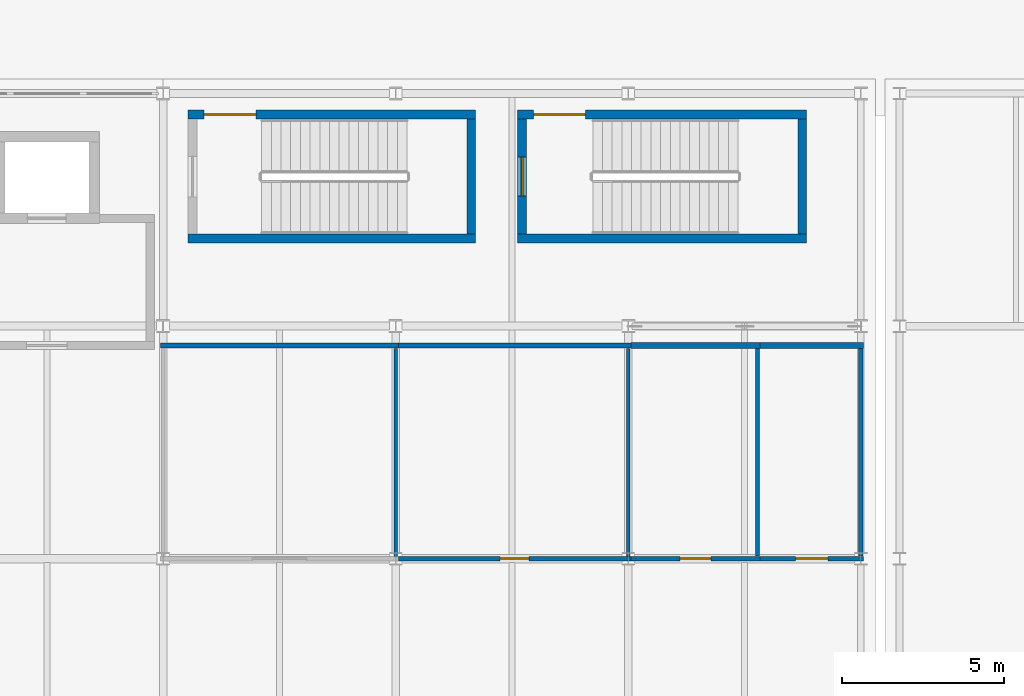
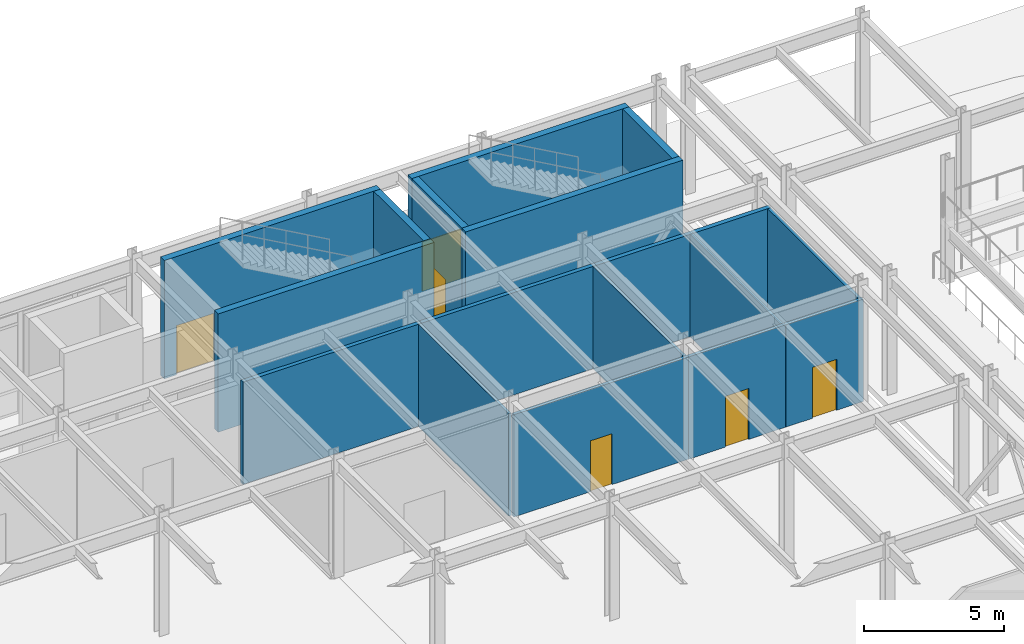
# One storey, part 75 of 104: 18 walls, 6 doors, 6 openings.
"""IFC4 building model written with IfcOpenShell, lengths in metres."""

from ifc_helpers import new_model, si_unit, direction, frame, frame_2d, origin, place, context, subcontext, project, spatial, rectangle, extrude, material, layer, layer_set, type_object, element, fill, save


model = new_model("IFC4")

# Units and contexts
model_context = context("Model", 3, precision=1e-05, world=origin(), true_north=direction((0.0, 1.0)))
body_context = subcontext(model_context, "Body", "Model", "MODEL_VIEW")
ifc_project = project(units=[si_unit("LENGTHUNIT", "METRE"), si_unit("AREAUNIT", "SQUARE_METRE"), si_unit("VOLUMEUNIT", "CUBIC_METRE"), si_unit("PLANEANGLEUNIT", "RADIAN"), si_unit("MASSUNIT", "GRAM", prefix="KILO")], contexts=[model_context])

# Site, building, storey
site_placement = place(None, origin())
site = spatial("IfcSite", under=ifc_project, at=site_placement, CompositionType="ELEMENT")
building_placement = place(site_placement, origin())
building = spatial("IfcBuilding", under=site, at=building_placement, Name="Vaelcorin Mobility Hub", CompositionType="ELEMENT")
storey_placement = place(building_placement, origin())
storey = spatial("IfcBuildingStorey", under=building, at=storey_placement, Name="L00", CompositionType="ELEMENT", Elevation=0.0)

# Wall
ifc_material_1 = material(Name="Reinforced concrete f'c 45 MPa", Category="concrete")
ifc_layer_1 = layer(ifc_material_1, 0.27490234375)
ifc_layer_set_1 = layer_set([ifc_layer_1], Name="Reinforced concrete f'c 45 MPa")
wall_type_1 = type_object("IfcWallType", Name="WL-CORE-275", PredefinedType="SOLIDWALL", material=ifc_layer_set_1)
wall_1_placement = place(storey_placement, frame((110.47509765625, 115.511962890625, 0.0), z_axis=(0.0, 0.0, 1.0), x_axis=(-1.0, 0.0, 0.0)))
element("IfcWall", 1, at=wall_1_placement, inside=storey, type_object=wall_type_1, Name="ST4 Fire Core Wall L00 South", PredefinedType="SOLIDWALL", context=body_context, shape_type="SweptSolid", body=[
    extrude(rectangle(XDim=8.900146484375, YDim=0.27490234375, at=frame_2d((4.4501953125, 0.0))), origin(), (0.0, 0.0, 1.0), 5.159912109375),
])

# Wall, opening, door
wall_2_placement = place(storey_placement, frame((101.574951171875, 119.347900390625, 0.0), z_axis=(0.0, 0.0, 1.0), x_axis=(1.0, 0.0, 0.0)))
wall_2 = element("IfcWall", 2, at=wall_2_placement, inside=storey, type_object=wall_type_1, Name="ST4 Fire Core Wall L00 North", PredefinedType="SOLIDWALL", context=body_context, shape_type="SweptSolid", body=[
    extrude(rectangle(XDim=8.900146484375, YDim=0.27490234375, at=frame_2d((4.4501953125, 0.0))), origin(), (0.0, 0.0, 1.0), 5.159912109375),
])
opening_1_placement = place(wall_2_placement, frame((0.4951171875, 0.0, 0.0)))
opening_1 = element("IfcOpeningElement", 3, at=opening_1_placement, cuts=wall_2, Name="Opening SD03", PredefinedType="OPENING", context=body_context, shape_type="SweptSolid", body=[
    extrude(rectangle(XDim=1.60009765625, YDim=2.14990234375, at=frame_2d((0.800048828125, 1.074951171875))), frame((0.0, 0.1474609375, 0.0), z_axis=(0.0, -1.0, 0.0), x_axis=(1.0, 0.0, 0.0)), (0.0, 0.0, 1.0), 0.294921875),
])
ifc_material_2 = material(Name="Hollow-metal insulated steel fire door", Category="steel")
door_type_1 = type_object("IfcDoorType", Name="DR-STAIR-EXIT", OperationType="NOTDEFINED", PredefinedType="DOOR", material=ifc_material_2)
door_1_placement = place(opening_1_placement, origin())
door_1 = element("IfcDoor", 4, at=door_1_placement, inside=storey, type_object=door_type_1, Name="ST4 Final Exit Discharge Door L00", OperationType="SINGLE_SWING_RIGHT", OverallHeight=2.14990234375, OverallWidth=1.60009765625, PredefinedType="DOOR", context=body_context, shape_type="SweptSolid", body=[
    extrude(rectangle(XDim=1.60009765625, YDim=2.14990234375, at=frame_2d((0.800048828125, 1.074951171875))), frame((0.0, 0.02490234375, 0.0), z_axis=(0.0, -1.0, 0.0), x_axis=(1.0, 0.0, 0.0)), (0.0, 0.0, 1.0), 0.050048828125),
])
fill(opening_1, door_1)

# Walls
wall_3_placement = place(storey_placement, frame((110.337890625, 119.2099609375, 0.0), z_axis=(0.0, 0.0, 1.0), x_axis=(0.0, -1.0, 0.0)))
element("IfcWall", 5, at=wall_3_placement, inside=storey, type_object=wall_type_1, Name="ST4 Fire Core Wall L00 East", PredefinedType="SOLIDWALL", context=body_context, shape_type="SweptSolid", body=[
    extrude(rectangle(XDim=3.56005859375, YDim=0.27490234375, at=frame_2d((1.780029296875, 0.0))), origin(), (0.0, 0.0, 1.0), 5.159912109375),
])
wall_4_placement = place(storey_placement, frame((120.72509765625, 115.511962890625, 0.0), z_axis=(0.0, 0.0, 1.0), x_axis=(-1.0, 0.0, 0.0)))
element("IfcWall", 6, at=wall_4_placement, inside=storey, type_object=wall_type_1, Name="ST9 Fire Core Wall L00 South", PredefinedType="SOLIDWALL", context=body_context, shape_type="SweptSolid", body=[
    extrude(rectangle(XDim=8.9501953125, YDim=0.27490234375, at=frame_2d((4.47509765625, 0.0))), origin(), (0.0, 0.0, 1.0), 5.159912109375),
])

# Wall, opening, door
wall_5_placement = place(storey_placement, frame((111.77490234375, 119.347900390625, 0.0), z_axis=(0.0, 0.0, 1.0), x_axis=(1.0, 0.0, 0.0)))
wall_5 = element("IfcWall", 7, at=wall_5_placement, inside=storey, type_object=wall_type_1, Name="ST9 Fire Core Wall L00 North", PredefinedType="SOLIDWALL", context=body_context, shape_type="SweptSolid", body=[
    extrude(rectangle(XDim=8.9501953125, YDim=0.27490234375, at=frame_2d((4.47509765625, 0.0))), origin(), (0.0, 0.0, 1.0), 5.159912109375),
])
opening_2_placement = place(wall_5_placement, frame((0.4951171875, 0.0, 0.0)))
opening_2 = element("IfcOpeningElement", 8, at=opening_2_placement, cuts=wall_5, Name="Opening SD03", PredefinedType="OPENING", context=body_context, shape_type="SweptSolid", body=[
    extrude(rectangle(XDim=1.60009765625, YDim=2.14990234375, at=frame_2d((0.800048828125, 1.074951171875))), frame((0.0, 0.1474609375, 0.0), z_axis=(0.0, -1.0, 0.0), x_axis=(1.0, 0.0, 0.0)), (0.0, 0.0, 1.0), 0.294921875),
])
door_2_placement = place(opening_2_placement, origin())
door_2 = element("IfcDoor", 9, at=door_2_placement, inside=storey, type_object=door_type_1, Name="ST9 Final Exit Discharge Door L00", OperationType="SINGLE_SWING_RIGHT", OverallHeight=2.14990234375, OverallWidth=1.60009765625, PredefinedType="DOOR", context=body_context, shape_type="SweptSolid", body=[
    extrude(rectangle(XDim=1.60009765625, YDim=2.14990234375, at=frame_2d((0.800048828125, 1.074951171875))), frame((0.0, 0.02490234375, 0.0), z_axis=(0.0, -1.0, 0.0), x_axis=(1.0, 0.0, 0.0)), (0.0, 0.0, 1.0), 0.050048828125),
])
fill(opening_2, door_2)

wall_6_placement = place(storey_placement, frame((111.912109375, 115.64990234375, 0.0), z_axis=(0.0, 0.0, 1.0), x_axis=(0.0, 1.0, 0.0)))
wall_6 = element("IfcWall", 10, at=wall_6_placement, inside=storey, type_object=wall_type_1, Name="ST9 Fire Core Wall L00 West", PredefinedType="SOLIDWALL", context=body_context, shape_type="SweptSolid", body=[
    extrude(rectangle(XDim=3.56005859375, YDim=0.27490234375, at=frame_2d((1.780029296875, 0.0))), origin(), (0.0, 0.0, 1.0), 5.159912109375),
])
opening_3_placement = place(wall_6_placement, frame((1.179931640625, 0.0, 0.0)))
opening_3 = element("IfcOpeningElement", 11, at=opening_3_placement, cuts=wall_6, Name="Opening SD01", PredefinedType="OPENING", context=body_context, shape_type="SweptSolid", body=[
    extrude(rectangle(XDim=1.199951171875, YDim=2.199951171875, at=frame_2d((0.60009765625, 1.10009765625))), frame((0.0, 0.1474609375, 0.0), z_axis=(0.0, -1.0, 0.0), x_axis=(1.0, 0.0, 0.0)), (0.0, 0.0, 1.0), 0.294921875),
])
door_type_2 = type_object("IfcDoorType", Name="DR-STAIR-90", OperationType="NOTDEFINED", PredefinedType="DOOR", material=ifc_material_2)
door_3_placement = place(opening_3_placement, origin())
door_3 = element("IfcDoor", 12, at=door_3_placement, inside=storey, type_object=door_type_2, Name="ST9 Protected Stair Door L00", OperationType="SINGLE_SWING_LEFT", OverallHeight=2.199951171875, OverallWidth=1.199951171875, PredefinedType="DOOR", context=body_context, shape_type="SweptSolid", body=[
    extrude(rectangle(XDim=1.199951171875, YDim=2.199951171875, at=frame_2d((0.60009765625, 1.10009765625))), frame((0.0, 0.02490234375, 0.0), z_axis=(0.0, -1.0, 0.0), x_axis=(1.0, 0.0, 0.0)), (0.0, 0.0, 1.0), 0.050048828125),
])
fill(opening_3, door_3)

# Walls
wall_7_placement = place(storey_placement, frame((120.587890625, 119.2099609375, 0.0), z_axis=(0.0, 0.0, 1.0), x_axis=(0.0, -1.0, 0.0)))
element("IfcWall", 13, at=wall_7_placement, inside=storey, type_object=wall_type_1, Name="ST9 Fire Core Wall L00 East", PredefinedType="SOLIDWALL", context=body_context, shape_type="SweptSolid", body=[
    extrude(rectangle(XDim=3.56005859375, YDim=0.27490234375, at=frame_2d((1.780029296875, 0.0))), origin(), (0.0, 0.0, 1.0), 5.159912109375),
])
ifc_material_3 = material(Name="Fire-rated acoustic steel-stud gypsum board", Category="steel")
ifc_layer_2 = layer(ifc_material_3, 0.114990234375)
ifc_layer_set_2 = layer_set([ifc_layer_2], Name="Fire-rated acoustic steel-stud gypsum board")
wall_type_2 = type_object("IfcWallType", Name="WL-PART-115", PredefinedType="PARTITIONING", material=ifc_layer_set_2)
wall_8_placement = place(storey_placement, frame((108.0, 112.113037109375, 0.0), z_axis=(0.0, 0.0, 1.0), x_axis=(0.0, -1.0, 0.0)))
element("IfcWall", 14, at=wall_8_placement, inside=storey, type_object=wall_type_2, Name="Public Restrooms L00 Partition East", PredefinedType="PARTITIONING", context=body_context, shape_type="SweptSolid", body=[
    extrude(rectangle(XDim=6.44091796875, YDim=0.114990234375, at=frame_2d((3.220458984375, 0.0))), origin(), (0.0, 0.0, 1.0), 4.45703125),
])
ifc_layer_3 = layer(ifc_material_3, 0.1201171875)
ifc_layer_set_3 = layer_set([ifc_layer_3], Name="Fire-rated acoustic steel-stud gypsum board")
wall_type_3 = type_object("IfcWallType", Name="WL-PART-120", PredefinedType="PARTITIONING", material=ifc_layer_set_3)
wall_9_placement = place(storey_placement, frame((115.199951171875, 112.10888671875, 0.0), z_axis=(0.0, 0.0, 1.0), x_axis=(0.0, -1.0, 0.0)))
element("IfcWall", 15, at=wall_9_placement, inside=storey, type_object=wall_type_3, Name="Concourse Family Restrooms L00 Partition East", PredefinedType="PARTITIONING", context=body_context, shape_type="SweptSolid", body=[
    extrude(rectangle(XDim=6.434814453125, YDim=0.1201171875, at=frame_2d((3.21728515625, 0.0))), origin(), (0.0, 0.0, 1.0), 4.45703125),
])
ifc_layer_4 = layer(ifc_material_3, 0.125)
ifc_layer_set_4 = layer_set([ifc_layer_4], Name="Fire-rated acoustic steel-stud gypsum board")
wall_type_4 = type_object("IfcWallType", Name="WL-PART-125", PredefinedType="PARTITIONING", material=ifc_layer_set_4)
wall_10_placement = place(storey_placement, frame((119.199951171875, 112.10595703125, 0.0), z_axis=(0.0, 0.0, 1.0), x_axis=(0.0, -1.0, 0.0)))
element("IfcWall", 16, at=wall_10_placement, inside=storey, type_object=wall_type_4, Name="Accessible WC L00 Partition East", PredefinedType="PARTITIONING", context=body_context, shape_type="SweptSolid", body=[
    extrude(rectangle(XDim=6.428955078125, YDim=0.125, at=frame_2d((3.21435546875, 0.0))), origin(), (0.0, 0.0, 1.0), 4.45703125),
])
ifc_layer_5 = layer(ifc_material_3, 0.1298828125)
ifc_layer_set_5 = layer_set([ifc_layer_5], Name="Fire-rated acoustic steel-stud gypsum board")
wall_type_5 = type_object("IfcWallType", Name="WL-PART-130", PredefinedType="PARTITIONING", material=ifc_layer_set_5)
wall_11_placement = place(storey_placement, frame((122.39990234375, 112.10595703125, 0.0), z_axis=(0.0, 0.0, 1.0), x_axis=(0.0, -1.0, 0.0)))
element("IfcWall", 17, at=wall_11_placement, inside=storey, type_object=wall_type_5, Name="Custodial and Linen Store L00 Partition East", PredefinedType="PARTITIONING", context=body_context, shape_type="SweptSolid", body=[
    extrude(rectangle(XDim=6.428955078125, YDim=0.1298828125, at=frame_2d((3.21435546875, 0.0))), origin(), (0.0, 0.0, 1.0), 4.45703125),
])

# Wall, opening, door
ifc_layer_6 = layer(ifc_material_3, 0.139892578125)
ifc_layer_set_6 = layer_set([ifc_layer_6], Name="Fire-rated acoustic steel-stud gypsum board")
wall_type_6 = type_object("IfcWallType", Name="WL-PART-140", PredefinedType="PARTITIONING", material=ifc_layer_set_6)
wall_12_placement = place(storey_placement, frame((115.280029296875, 105.60009765625, 0.0), z_axis=(0.0, 0.0, 1.0), x_axis=(-1.0, 0.0, 0.0)))
wall_12 = element("IfcWall", 18, at=wall_12_placement, inside=storey, type_object=wall_type_6, Name="Concourse Family Restrooms L00 Partition South", PredefinedType="PARTITIONING", context=body_context, shape_type="SweptSolid", body=[
    extrude(rectangle(XDim=7.197998046875, YDim=0.139892578125, at=frame_2d((3.59912109375, 0.0))), origin(), (0.0, 0.0, 1.0), 4.45703125),
])
opening_4_placement = place(wall_12_placement, frame((3.14892578125, 0.0, 0.0)))
opening_4 = element("IfcOpeningElement", 19, at=opening_4_placement, cuts=wall_12, Name="Opening ID23", PredefinedType="OPENING", context=body_context, shape_type="SweptSolid", body=[
    extrude(rectangle(XDim=0.89990234375, YDim=2.219970703125, at=frame_2d((0.449951171875, 1.10986328125))), frame((0.0, 0.079833984375, 0.0), z_axis=(0.0, -1.0, 0.0), x_axis=(1.0, 0.0, 0.0)), (0.0, 0.0, 1.0), 0.159912109375),
])
ifc_material_4 = material(Name="Solid-core hardwood fire door assembly", Category="wood")
door_type_3 = type_object("IfcDoorType", Name="DR-INT-23", OperationType="NOTDEFINED", PredefinedType="DOOR", material=ifc_material_4)
door_4_placement = place(opening_4_placement, origin())
door_4 = element("IfcDoor", 20, at=door_4_placement, inside=storey, type_object=door_type_3, Name="Concourse Family Restrooms L00 Door", OperationType="SINGLE_SWING_LEFT", OverallHeight=2.219970703125, OverallWidth=0.89990234375, PredefinedType="DOOR", context=body_context, shape_type="SweptSolid", body=[
    extrude(rectangle(XDim=0.89990234375, YDim=2.219970703125, at=frame_2d((0.449951171875, 1.10986328125))), frame((0.0, 0.02490234375, 0.0), z_axis=(0.0, -1.0, 0.0), x_axis=(1.0, 0.0, 0.0)), (0.0, 0.0, 1.0), 0.050048828125),
])
fill(opening_4, door_4)

ifc_layer_7 = layer(ifc_material_3, 0.14501953125)
ifc_layer_set_7 = layer_set([ifc_layer_7], Name="Fire-rated acoustic steel-stud gypsum board")
wall_type_7 = type_object("IfcWallType", Name="WL-PART-145", PredefinedType="PARTITIONING", material=ifc_layer_set_7)
wall_13_placement = place(storey_placement, frame((119.280029296875, 105.60009765625, 0.0), z_axis=(0.0, 0.0, 1.0), x_axis=(-1.0, 0.0, 0.0)))
wall_13 = element("IfcWall", 21, at=wall_13_placement, inside=storey, type_object=wall_type_7, Name="Accessible WC L00 Partition South", PredefinedType="PARTITIONING", context=body_context, shape_type="SweptSolid", body=[
    extrude(rectangle(XDim=3.998046875, YDim=0.14501953125, at=frame_2d((1.9990234375, 0.0))), origin(), (0.0, 0.0, 1.0), 4.45703125),
])
opening_5_placement = place(wall_13_placement, frame((1.52392578125, 0.0, 0.0)))
opening_5 = element("IfcOpeningElement", 22, at=opening_5_placement, cuts=wall_13, Name="Opening ID24", PredefinedType="OPENING", context=body_context, shape_type="SweptSolid", body=[
    extrude(rectangle(XDim=0.949951171875, YDim=2.219970703125, at=frame_2d((0.47509765625, 1.10986328125))), frame((0.0, 0.08251953125, 0.0), z_axis=(0.0, -1.0, 0.0), x_axis=(1.0, 0.0, 0.0)), (0.0, 0.0, 1.0), 0.1650390625),
])
door_type_4 = type_object("IfcDoorType", Name="DR-INT-24", OperationType="NOTDEFINED", PredefinedType="DOOR", material=ifc_material_4)
door_5_placement = place(opening_5_placement, origin())
door_5 = element("IfcDoor", 23, at=door_5_placement, inside=storey, type_object=door_type_4, Name="Accessible WC L00 Door", OperationType="SINGLE_SWING_RIGHT", OverallHeight=2.219970703125, OverallWidth=0.949951171875, PredefinedType="DOOR", context=body_context, shape_type="SweptSolid", body=[
    extrude(rectangle(XDim=0.949951171875, YDim=2.219970703125, at=frame_2d((0.47509765625, 1.10986328125))), frame((0.0, 0.02490234375, 0.0), z_axis=(0.0, -1.0, 0.0), x_axis=(1.0, 0.0, 0.0)), (0.0, 0.0, 1.0), 0.050048828125),
])
fill(opening_5, door_5)

ifc_layer_8 = layer(ifc_material_3, 0.14990234375)
ifc_layer_set_8 = layer_set([ifc_layer_8], Name="Fire-rated acoustic steel-stud gypsum board")
wall_type_8 = type_object("IfcWallType", Name="WL-PART-150", PredefinedType="PARTITIONING", material=ifc_layer_set_8)
wall_14_placement = place(storey_placement, frame((122.47998046875, 105.60009765625, 0.0), z_axis=(0.0, 0.0, 1.0), x_axis=(-1.0, 0.0, 0.0)))
wall_14 = element("IfcWall", 24, at=wall_14_placement, inside=storey, type_object=wall_type_8, Name="Custodial and Linen Store L00 Partition South", PredefinedType="PARTITIONING", context=body_context, shape_type="SweptSolid", body=[
    extrude(rectangle(XDim=3.197998046875, YDim=0.14990234375, at=frame_2d((1.59912109375, 0.0))), origin(), (0.0, 0.0, 1.0), 4.45703125),
])
opening_6_placement = place(wall_14_placement, frame((1.09912109375, 0.0, 0.0)))
opening_6 = element("IfcOpeningElement", 25, at=opening_6_placement, cuts=wall_14, Name="Opening ID25", PredefinedType="OPENING", context=body_context, shape_type="SweptSolid", body=[
    extrude(rectangle(XDim=1.0, YDim=2.219970703125, at=frame_2d((0.5, 1.10986328125))), frame((0.0, 0.0849609375, 0.0), z_axis=(0.0, -1.0, 0.0), x_axis=(1.0, 0.0, 0.0)), (0.0, 0.0, 1.0), 0.169921875),
])
door_type_5 = type_object("IfcDoorType", Name="DR-INT-25", OperationType="NOTDEFINED", PredefinedType="DOOR", material=ifc_material_4)
door_6_placement = place(opening_6_placement, origin())
door_6 = element("IfcDoor", 26, at=door_6_placement, inside=storey, type_object=door_type_5, Name="Custodial and Linen Store L00 Door", OperationType="SINGLE_SWING_LEFT", OverallHeight=2.219970703125, OverallWidth=1.0, PredefinedType="DOOR", context=body_context, shape_type="SweptSolid", body=[
    extrude(rectangle(XDim=1.0, YDim=2.219970703125, at=frame_2d((0.5, 1.10986328125))), frame((0.0, 0.02490234375, 0.0), z_axis=(0.0, -1.0, 0.0), x_axis=(1.0, 0.0, 0.0)), (0.0, 0.0, 1.0), 0.050048828125),
])
fill(opening_6, door_6)

# Walls
ifc_layer_9 = layer(ifc_material_3, 0.1650390625)
ifc_layer_set_9 = layer_set([ifc_layer_9], Name="Fire-rated acoustic steel-stud gypsum board")
wall_type_9 = type_object("IfcWallType", Name="WL-PART-165", PredefinedType="PARTITIONING", material=ifc_layer_set_9)
wall_15_placement = place(storey_placement, frame((100.719970703125, 112.199951171875, 0.0), z_axis=(0.0, 0.0, 1.0), x_axis=(1.0, 0.0, 0.0)))
element("IfcWall", 27, at=wall_15_placement, inside=storey, type_object=wall_type_9, Name="Public Restrooms L00 Partition North", PredefinedType="PARTITIONING", context=body_context, shape_type="SweptSolid", body=[
    extrude(rectangle(XDim=7.360107421875, YDim=0.1650390625, at=frame_2d((3.68017578125, 0.0))), origin(), (0.0, 0.0, 1.0), 4.45703125),
])
ifc_layer_10 = layer(ifc_material_3, 0.169921875)
ifc_layer_set_10 = layer_set([ifc_layer_10], Name="Fire-rated acoustic steel-stud gypsum board")
wall_type_10 = type_object("IfcWallType", Name="WL-PART-170", PredefinedType="PARTITIONING", material=ifc_layer_set_10)
wall_16_placement = place(storey_placement, frame((108.08203125, 112.199951171875, 0.0), z_axis=(0.0, 0.0, 1.0), x_axis=(1.0, 0.0, 0.0)))
element("IfcWall", 28, at=wall_16_placement, inside=storey, type_object=wall_type_10, Name="Concourse Family Restrooms L00 Partition North", PredefinedType="PARTITIONING", context=body_context, shape_type="SweptSolid", body=[
    extrude(rectangle(XDim=7.197998046875, YDim=0.169921875, at=frame_2d((3.59912109375, 0.0))), origin(), (0.0, 0.0, 1.0), 4.45703125),
])
ifc_layer_11 = layer(ifc_material_3, 0.177978515625)
ifc_layer_set_11 = layer_set([ifc_layer_11], Name="Fire-rated acoustic steel-stud gypsum board")
wall_type_11 = type_object("IfcWallType", Name="WL-PART-178", PredefinedType="PARTITIONING", material=ifc_layer_set_11)
wall_17_placement = place(storey_placement, frame((115.281982421875, 112.199951171875, 0.0), z_axis=(0.0, 0.0, 1.0), x_axis=(1.0, 0.0, 0.0)))
element("IfcWall", 29, at=wall_17_placement, inside=storey, type_object=wall_type_11, Name="Accessible WC L00 Partition North", PredefinedType="PARTITIONING", context=body_context, shape_type="SweptSolid", body=[
    extrude(rectangle(XDim=3.998046875, YDim=0.177978515625, at=frame_2d((1.9990234375, 0.0))), origin(), (0.0, 0.0, 1.0), 4.45703125),
])
ifc_layer_12 = layer(ifc_material_3, 0.18505859375)
ifc_layer_set_12 = layer_set([ifc_layer_12], Name="Fire-rated acoustic steel-stud gypsum board")
wall_type_12 = type_object("IfcWallType", Name="WL-PART-185", PredefinedType="PARTITIONING", material=ifc_layer_set_12)
wall_18_placement = place(storey_placement, frame((119.281982421875, 112.199951171875, 0.0), z_axis=(0.0, 0.0, 1.0), x_axis=(1.0, 0.0, 0.0)))
element("IfcWall", 30, at=wall_18_placement, inside=storey, type_object=wall_type_12, Name="Custodial and Linen Store L00 Partition North", PredefinedType="PARTITIONING", context=body_context, shape_type="SweptSolid", body=[
    extrude(rectangle(XDim=3.197998046875, YDim=0.18505859375, at=frame_2d((1.59912109375, 0.0))), origin(), (0.0, 0.0, 1.0), 4.45703125),
])

save(model, "model.ifc")
